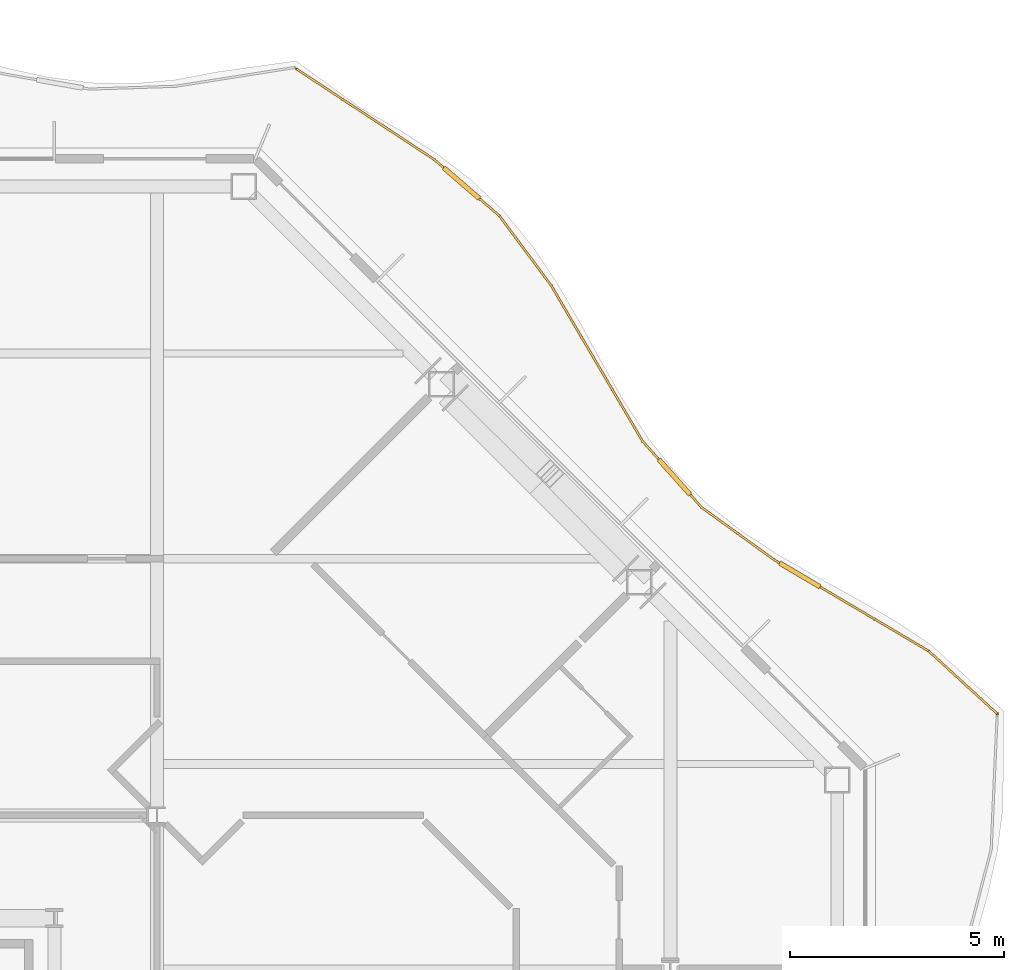
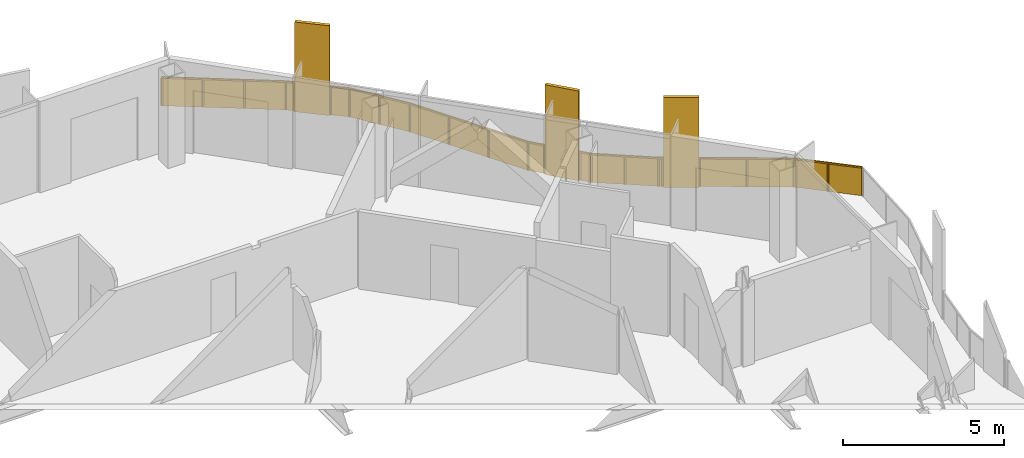
# One storey, part 21 of 21: 1 railing.
"""IFC4 building model written with IfcOpenShell, lengths in metres."""

from ifc_helpers import new_model, si_unit, direction, frame, origin, origin_2d, place, context, subcontext, project, spatial, polyline, rectangle, outline, extrude, material, type_object, element, save


model = new_model("IFC4")

# Units and contexts
model_context = context("Model", 3, precision=1e-05, world=origin(), true_north=direction((0.0, 1.0)))
body_context = subcontext(model_context, "Body", "Model", "MODEL_VIEW")
ifc_project = project(units=[si_unit("LENGTHUNIT", "METRE"), si_unit("AREAUNIT", "SQUARE_METRE"), si_unit("VOLUMEUNIT", "CUBIC_METRE"), si_unit("PLANEANGLEUNIT", "RADIAN"), si_unit("MASSUNIT", "GRAM", prefix="KILO")], contexts=[model_context])

# Site, building, storey
site_placement = place(None, origin())
site = spatial("IfcSite", under=ifc_project, at=site_placement, CompositionType="ELEMENT")
building_placement = place(site_placement, origin())
building = spatial("IfcBuilding", under=site, at=building_placement, Name="Cairn Pilgrim Tower", CompositionType="ELEMENT")
storey_placement = place(building_placement, frame((0.0, 0.0, 161.39990234375)))
storey = spatial("IfcBuildingStorey", under=building, at=storey_placement, Name="L40", CompositionType="ELEMENT", Elevation=161.39990234375)

# Railing
ifc_material = material(Name="Bronze anodised aluminium rail, posts and fin screens with laminated glass infill", Category="aluminium")
railing_type = type_object("IfcRailingType", Name="BALCONY GUARD WITH FIN SCREENS", PredefinedType="GUARDRAIL", material=ifc_material)
railing_placement = place(storey_placement, frame((38.83935546875, 15.576171875, 0.0)))
element("IfcRailing", 1, at=railing_placement, inside=storey, type_object=railing_type, Name="Balcony guard BGF-4 with fin screens", PredefinedType="GUARDRAIL", context=body_context, shape_type="SweptSolid", body=[
    extrude(rectangle(XDim=0.050048828125, YDim=0.050048828125, at=origin_2d()), frame((0.0, 0.0, 1.0751953125), z_axis=(-0.737797082339, 0.675022566506, 0.0), x_axis=(-0.675022566506, -0.737797082339, 0.0)), (0.0, 0.0, 1.0), 2.174072265625),
    extrude(rectangle(XDim=1.10009765625, YDim=0.110107421875, at=origin_2d()), frame((-4.61474609375, 3.246337890625, 0.0), z_axis=(0.0, 0.0, 1.0), x_axis=(-0.860978636449, 0.508641118648, 0.0)), (0.0, 0.0, 1.0), 3.39990234375),
    extrude(rectangle(XDim=0.050048828125, YDim=0.050048828125, at=origin_2d()), frame((-1.60400390625, 1.467529296875, 1.0751953125), z_axis=(-0.860978636449, 0.508641118648, 0.0), x_axis=(-0.508641118648, -0.860978636449, 0.0)), (0.0, 0.0, 1.0), 2.947021484375),
    extrude(rectangle(XDim=0.050048828125, YDim=0.050048828125, at=origin_2d()), frame((-5.08837890625, 3.52587890625, 1.0751953125), z_axis=(-0.860978636449, 0.508641118648, 0.0), x_axis=(-0.508641118648, -0.860978636449, 0.0)), (0.0, 0.0, 1.0), 0.150146484375),
    extrude(rectangle(XDim=0.050048828125, YDim=0.050048828125, at=origin_2d()), frame((-5.217529296875, 3.602294921875, 1.0751953125), z_axis=(-0.810916787047, 0.585161485818, 0.0), x_axis=(-0.585161485818, -0.810916787047, 0.0)), (0.0, 0.0, 1.0), 2.086181640625),
    extrude(rectangle(XDim=1.10009765625, YDim=0.110107421875, at=origin_2d()), frame((-7.543701171875, 5.5341796875, 0.0), z_axis=(0.0, 0.0, 1.0), x_axis=(-0.665701794098, 0.746217877925, 0.0)), (0.0, 0.0, 1.0), 3.39990234375),
    extrude(rectangle(XDim=0.050048828125, YDim=0.050048828125, at=origin_2d()), frame((-6.9091796875, 4.822998046875, 1.0751953125), z_axis=(-0.665701794098, 0.746217877925, 0.0), x_axis=(-0.746217877925, -0.665701794098, 0.0)), (0.0, 0.0, 1.0), 0.403076171875),
    extrude(rectangle(XDim=0.050048828125, YDim=0.050048828125, at=origin_2d()), frame((-7.90966796875, 5.944580078125, 1.0751953125), z_axis=(-0.665701794098, 0.746217877925, 0.0), x_axis=(-0.746217877925, -0.665701794098, 0.0)), (0.0, 0.0, 1.0), 0.56787109375),
    extrude(rectangle(XDim=0.050048828125, YDim=0.050048828125, at=origin_2d()), frame((-8.287841796875, 6.368408203125, 1.0751953125), z_axis=(-0.506184649449, 0.862425127569, 0.0), x_axis=(-0.862425127569, -0.506184649449, 0.0)), (0.0, 0.0, 1.0), 4.21533203125),
    extrude(rectangle(XDim=0.050048828125, YDim=0.050048828125, at=origin_2d()), frame((-10.421630859375, 10.00390625, 1.0751953125), z_axis=(-0.596036689658, 0.80295719972, 0.0), x_axis=(-0.80295719972, -0.596036689658, 0.0)), (0.0, 0.0, 1.0), 2.0341796875),
    extrude(rectangle(XDim=1.10009765625, YDim=0.110107421875, at=origin_2d()), frame((-12.52197265625, 12.404296875, 0.0), z_axis=(0.0, 0.0, 1.0), x_axis=(-0.756771251434, 0.653679793939, 0.0)), (0.0, 0.0, 1.0), 3.39990234375),
    extrude(rectangle(XDim=0.050048828125, YDim=0.050048828125, at=origin_2d()), frame((-11.634033203125, 11.63720703125, 1.0751953125), z_axis=(-0.756771251434, 0.653679793939, 0.0), x_axis=(-0.653679793939, -0.756771251434, 0.0)), (0.0, 0.0, 1.0), 0.623291015625),
    extrude(rectangle(XDim=0.050048828125, YDim=0.050048828125, at=origin_2d()), frame((-12.938232421875, 12.763671875, 1.0751953125), z_axis=(-0.756771251434, 0.653679793939, 0.0), x_axis=(-0.653679793939, -0.756771251434, 0.0)), (0.0, 0.0, 1.0), 0.2919921875),
    extrude(rectangle(XDim=0.050048828125, YDim=0.050048828125, at=origin_2d()), frame((-13.1591796875, 12.95458984375, 1.0751953125), z_axis=(-0.835542609382, 0.549425652757, 0.0), x_axis=(-0.549425652757, -0.835542609382, 0.0)), (0.0, 0.0, 1.0), 3.853515625),
    extrude(rectangle(XDim=0.050048828125, YDim=0.050048828125, at=origin_2d()), origin(), (0.0, 0.0, 1.0), 1.050048828125),
    extrude(rectangle(XDim=0.050048828125, YDim=0.050048828125, at=origin_2d()), frame((-0.802001953125, 0.73388671875, 0.0)), (0.0, 0.0, 1.0), 1.050048828125),
    extrude(rectangle(XDim=0.050048828125, YDim=0.050048828125, at=origin_2d()), frame((-1.60400390625, 1.467529296875, 0.0)), (0.0, 0.0, 1.0), 1.050048828125),
    extrude(rectangle(XDim=0.050048828125, YDim=0.050048828125, at=origin_2d()), frame((-2.86181640625, 2.210693359375, 0.0)), (0.0, 0.0, 1.0), 1.050048828125),
    extrude(rectangle(XDim=0.050048828125, YDim=0.050048828125, at=origin_2d()), frame((-4.11962890625, 2.953857421875, 0.0)), (0.0, 0.0, 1.0), 1.050048828125),
    extrude(rectangle(XDim=0.050048828125, YDim=0.050048828125, at=origin_2d()), frame((-5.10986328125, 3.538818359375, 0.0)), (0.0, 0.0, 1.0), 1.050048828125),
    extrude(rectangle(XDim=0.050048828125, YDim=0.050048828125, at=origin_2d()), frame((-5.217529296875, 3.602294921875, 0.0)), (0.0, 0.0, 1.0), 1.050048828125),
    extrude(rectangle(XDim=0.050048828125, YDim=0.050048828125, at=origin_2d()), frame((-6.0634765625, 4.212646484375, 0.0)), (0.0, 0.0, 1.0), 1.050048828125),
    extrude(rectangle(XDim=0.050048828125, YDim=0.050048828125, at=origin_2d()), frame((-6.9091796875, 4.822998046875, 0.0)), (0.0, 0.0, 1.0), 1.050048828125),
    extrude(rectangle(XDim=0.050048828125, YDim=0.050048828125, at=origin_2d()), frame((-7.160888671875, 5.10498046875, 0.0)), (0.0, 0.0, 1.0), 1.050048828125),
    extrude(rectangle(XDim=0.050048828125, YDim=0.050048828125, at=origin_2d()), frame((-7.926513671875, 5.96337890625, 0.0)), (0.0, 0.0, 1.0), 1.050048828125),
    extrude(rectangle(XDim=0.050048828125, YDim=0.050048828125, at=origin_2d()), frame((-8.287841796875, 6.368408203125, 0.0)), (0.0, 0.0, 1.0), 1.050048828125),
    extrude(rectangle(XDim=0.050048828125, YDim=0.050048828125, at=origin_2d()), frame((-8.9990234375, 7.580322265625, 0.0)), (0.0, 0.0, 1.0), 1.050048828125),
    extrude(rectangle(XDim=0.050048828125, YDim=0.050048828125, at=origin_2d()), frame((-9.71044921875, 8.7919921875, 0.0)), (0.0, 0.0, 1.0), 1.050048828125),
    extrude(rectangle(XDim=0.050048828125, YDim=0.050048828125, at=origin_2d()), frame((-10.421630859375, 10.00390625, 0.0)), (0.0, 0.0, 1.0), 1.050048828125),
    extrude(rectangle(XDim=0.050048828125, YDim=0.050048828125, at=origin_2d()), frame((-11.02783203125, 10.820556640625, 0.0)), (0.0, 0.0, 1.0), 1.050048828125),
    extrude(rectangle(XDim=0.050048828125, YDim=0.050048828125, at=origin_2d()), frame((-11.634033203125, 11.63720703125, 0.0)), (0.0, 0.0, 1.0), 1.050048828125),
    extrude(rectangle(XDim=0.050048828125, YDim=0.050048828125, at=origin_2d()), frame((-12.0869140625, 12.0283203125, 0.0)), (0.0, 0.0, 1.0), 1.050048828125),
    extrude(rectangle(XDim=0.050048828125, YDim=0.050048828125, at=origin_2d()), frame((-12.95703125, 12.780029296875, 0.0)), (0.0, 0.0, 1.0), 1.050048828125),
    extrude(rectangle(XDim=0.050048828125, YDim=0.050048828125, at=origin_2d()), frame((-13.1591796875, 12.95458984375, 0.0)), (0.0, 0.0, 1.0), 1.050048828125),
    extrude(rectangle(XDim=0.050048828125, YDim=0.050048828125, at=origin_2d()), frame((-14.232421875, 13.660400390625, 0.0)), (0.0, 0.0, 1.0), 1.050048828125),
    extrude(rectangle(XDim=0.050048828125, YDim=0.050048828125, at=origin_2d()), frame((-15.3056640625, 14.365966796875, 0.0)), (0.0, 0.0, 1.0), 1.050048828125),
    extrude(rectangle(XDim=0.050048828125, YDim=0.050048828125, at=origin_2d()), frame((-16.37890625, 15.07177734375, 0.0)), (0.0, 0.0, 1.0), 1.050048828125),
    extrude(outline(polyline([(0.02490234375, 0.0), (1.06201171875, 0.0), (1.06201171875, 1.050048828125), (0.02490234375, 1.050048828125), (0.02490234375, 0.0)])), frame((-0.004150390625, -0.00439453125, 0.0), z_axis=(0.675022566506, 0.737797082339, 0.0), x_axis=(-0.737797082339, 0.675022566506, 0.0)), (0.0, 0.0, 1.0), 0.011962890625),
    extrude(outline(polyline([(0.02490234375, 0.0), (1.06201171875, 0.0), (1.06201171875, 1.050048828125), (0.02490234375, 1.050048828125), (0.02490234375, 0.0)])), frame((-0.80615234375, 0.729248046875, 0.0), z_axis=(0.675022566506, 0.737797082339, 0.0), x_axis=(-0.737797082339, 0.675022566506, 0.0)), (0.0, 0.0, 1.0), 0.011962890625),
    extrude(outline(polyline([(0.02490234375, 0.0), (1.43603515625, 0.0), (1.43603515625, 1.050048828125), (0.02490234375, 1.050048828125), (0.02490234375, 0.0)])), frame((-1.60693359375, 1.46240234375, 0.0), z_axis=(0.508641118648, 0.860978636449, 0.0), x_axis=(-0.860978636449, 0.508641118648, 0.0)), (0.0, 0.0, 1.0), 0.011962890625),
    extrude(outline(polyline([(0.02490234375, 0.0), (1.43603515625, 0.0), (1.43603515625, 1.050048828125), (0.02490234375, 1.050048828125), (0.02490234375, 0.0)])), frame((-2.864990234375, 2.20556640625, 0.0), z_axis=(0.508641118648, 0.860978636449, 0.0), x_axis=(-0.860978636449, 0.508641118648, 0.0)), (0.0, 0.0, 1.0), 0.011962890625),
    extrude(outline(polyline([(0.02490234375, 0.0), (0.10009765625, 0.0), (0.10009765625, 1.050048828125), (0.02490234375, 1.050048828125), (0.02490234375, 0.0)])), frame((-5.113037109375, 3.533447265625, 0.0), z_axis=(0.508641118648, 0.860978636449, 0.0), x_axis=(-0.860978636449, 0.508641118648, 0.0)), (0.0, 0.0, 1.0), 0.011962890625),
    extrude(outline(polyline([(0.02490234375, 0.0), (1.01806640625, 0.0), (1.01806640625, 1.050048828125), (0.02490234375, 1.050048828125), (0.02490234375, 0.0)])), frame((-5.220947265625, 3.597412109375, 0.0), z_axis=(0.585161485818, 0.810916787047, 0.0), x_axis=(-0.810916787047, 0.585161485818, 0.0)), (0.0, 0.0, 1.0), 0.011962890625),
    extrude(outline(polyline([(0.02490234375, 0.0), (1.01806640625, 0.0), (1.01806640625, 1.050048828125), (0.02490234375, 1.050048828125), (0.02490234375, 0.0)])), frame((-6.06689453125, 4.207763671875, 0.0), z_axis=(0.585161485818, 0.810916787047, 0.0), x_axis=(-0.810916787047, 0.585161485818, 0.0)), (0.0, 0.0, 1.0), 0.011962890625),
    extrude(outline(polyline([(0.02490234375, 0.0), (0.35302734375, 0.0), (0.35302734375, 1.050048828125), (0.02490234375, 1.050048828125), (0.02490234375, 0.0)])), frame((-6.91357421875, 4.819091796875, 0.0), z_axis=(0.746217877925, 0.665701794098, 0.0), x_axis=(-0.665701794098, 0.746217877925, 0.0)), (0.0, 0.0, 1.0), 0.011962890625),
    extrude(outline(polyline([(0.02490234375, 0.0), (0.517822265625, 0.0), (0.517822265625, 1.050048828125), (0.02490234375, 1.050048828125), (0.02490234375, 0.0)])), frame((-7.930908203125, 5.959228515625, 0.0), z_axis=(0.746217877925, 0.665701794098, 0.0), x_axis=(-0.665701794098, 0.746217877925, 0.0)), (0.0, 0.0, 1.0), 0.011962890625),
    extrude(outline(polyline([(0.02490234375, 0.0), (1.380126953125, 0.0), (1.380126953125, 1.050048828125), (0.02490234375, 1.050048828125), (0.02490234375, 0.0)])), frame((-8.29296875, 6.365478515625, 0.0), z_axis=(0.862425127569, 0.506184649449, 0.0), x_axis=(-0.506184649449, 0.862425127569, 0.0)), (0.0, 0.0, 1.0), 0.011962890625),
    extrude(outline(polyline([(0.02490234375, 0.0), (1.380126953125, 0.0), (1.380126953125, 1.050048828125), (0.02490234375, 1.050048828125), (0.02490234375, 0.0)])), frame((-9.004150390625, 7.5771484375, 0.0), z_axis=(0.862425127569, 0.506184649449, 0.0), x_axis=(-0.506184649449, 0.862425127569, 0.0)), (0.0, 0.0, 1.0), 0.011962890625),
    extrude(outline(polyline([(0.02490234375, 0.0), (1.380126953125, 0.0), (1.380126953125, 1.050048828125), (0.02490234375, 1.050048828125), (0.02490234375, 0.0)])), frame((-9.715576171875, 8.7890625, 0.0), z_axis=(0.862425127569, 0.506184649449, 0.0), x_axis=(-0.506184649449, 0.862425127569, 0.0)), (0.0, 0.0, 1.0), 0.011962890625),
    extrude(outline(polyline([(0.02490234375, 0.0), (0.991943359375, 0.0), (0.991943359375, 1.050048828125), (0.02490234375, 1.050048828125), (0.02490234375, 0.0)])), frame((-10.426513671875, 10.000244140625, 0.0), z_axis=(0.80295719972, 0.596036689658, 0.0), x_axis=(-0.596036689658, 0.80295719972, 0.0)), (0.0, 0.0, 1.0), 0.011962890625),
    extrude(outline(polyline([(0.02490234375, 0.0), (0.991943359375, 0.0), (0.991943359375, 1.050048828125), (0.02490234375, 1.050048828125), (0.02490234375, 0.0)])), frame((-11.03271484375, 10.81689453125, 0.0), z_axis=(0.80295719972, 0.596036689658, 0.0), x_axis=(-0.596036689658, 0.80295719972, 0.0)), (0.0, 0.0, 1.0), 0.011962890625),
    extrude(outline(polyline([(0.02490234375, 0.0), (0.5732421875, 0.0), (0.5732421875, 1.050048828125), (0.02490234375, 1.050048828125), (0.02490234375, 0.0)])), frame((-11.637939453125, 11.632568359375, 0.0), z_axis=(0.653679793939, 0.756771251434, 0.0), x_axis=(-0.756771251434, 0.653679793939, 0.0)), (0.0, 0.0, 1.0), 0.011962890625),
    extrude(outline(polyline([(0.02490234375, 0.0), (0.241943359375, 0.0), (0.241943359375, 1.050048828125), (0.02490234375, 1.050048828125), (0.02490234375, 0.0)])), frame((-12.9609375, 12.775634765625, 0.0), z_axis=(0.653679793939, 0.756771251434, 0.0), x_axis=(-0.756771251434, 0.653679793939, 0.0)), (0.0, 0.0, 1.0), 0.011962890625),
    extrude(outline(polyline([(0.02490234375, 0.0), (1.259521484375, 0.0), (1.259521484375, 1.050048828125), (0.02490234375, 1.050048828125), (0.02490234375, 0.0)])), frame((-13.162353515625, 12.94970703125, 0.0), z_axis=(0.549425652757, 0.835542609382, 0.0), x_axis=(-0.835542609382, 0.549425652757, 0.0)), (0.0, 0.0, 1.0), 0.011962890625),
    extrude(outline(polyline([(0.02490234375, 0.0), (1.259521484375, 0.0), (1.259521484375, 1.050048828125), (0.02490234375, 1.050048828125), (0.02490234375, 0.0)])), frame((-14.235595703125, 13.6552734375, 0.0), z_axis=(0.549425652757, 0.835542609382, 0.0), x_axis=(-0.835542609382, 0.549425652757, 0.0)), (0.0, 0.0, 1.0), 0.011962890625),
    extrude(outline(polyline([(0.02490234375, 0.0), (1.259521484375, 0.0), (1.259521484375, 1.050048828125), (0.02490234375, 1.050048828125), (0.02490234375, 0.0)])), frame((-15.308837890625, 14.361083984375, 0.0), z_axis=(0.549425652757, 0.835542609382, 0.0), x_axis=(-0.835542609382, 0.549425652757, 0.0)), (0.0, 0.0, 1.0), 0.011962890625),
])

save(model, "model.ifc")
